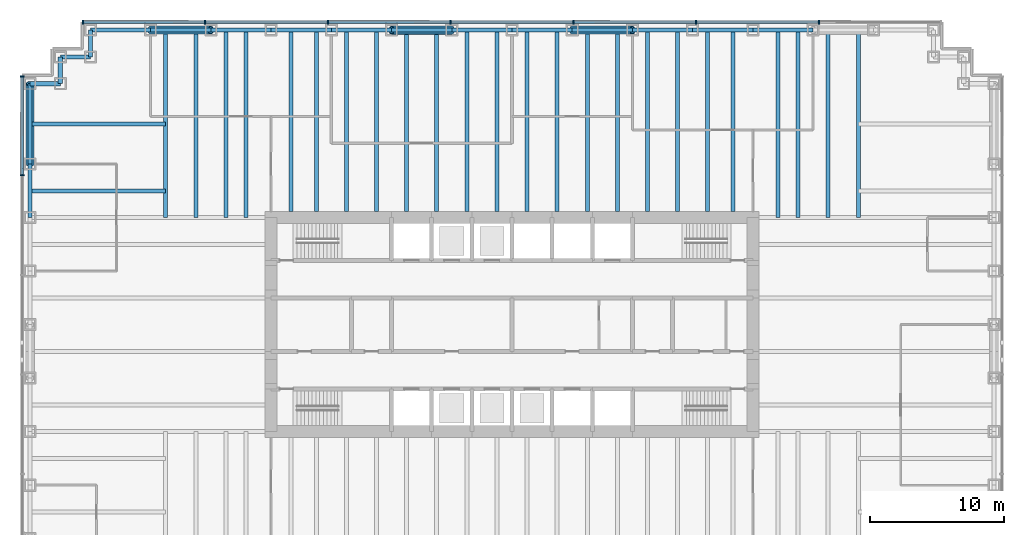
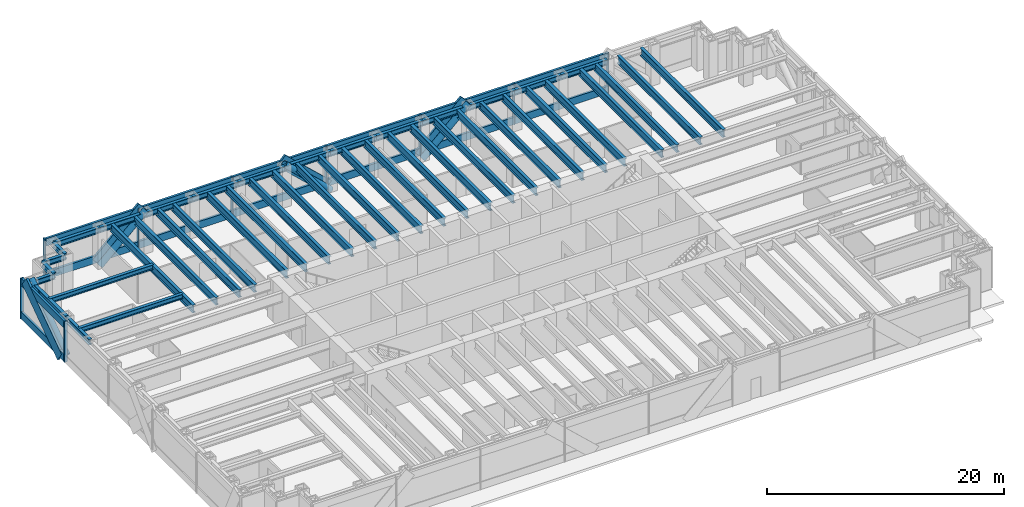
# One storey, part 4 of 14: 44 beams, 31 members, 2 elements without a shape of their own.
"""IFC4 building model written with IfcOpenShell, lengths in metres."""

from ifc_helpers import new_model, si_unit, direction, frame, origin, origin_2d, place, context, subcontext, project, spatial, rectangle, hollow_circle, i_section, extrude, material, material_profile, profile_set, type_object, element, aggregate, save


model = new_model("IFC4")

# Units and contexts
model_context = context("Model", 3, precision=1e-05, world=origin(), true_north=direction((0.0, 1.0)))
body_context = subcontext(model_context, "Body", "Model", "MODEL_VIEW")
ifc_project = project(units=[si_unit("LENGTHUNIT", "METRE"), si_unit("AREAUNIT", "SQUARE_METRE"), si_unit("VOLUMEUNIT", "CUBIC_METRE"), si_unit("PLANEANGLEUNIT", "RADIAN"), si_unit("MASSUNIT", "GRAM", prefix="KILO")], contexts=[model_context])

# Site, building, storey
site_placement = place(None, origin())
site = spatial("IfcSite", under=ifc_project, at=site_placement, CompositionType="ELEMENT")
building_placement = place(site_placement, origin())
building = spatial("IfcBuilding", under=site, at=building_placement, Name="Rheinbord Bourse Tower", CompositionType="ELEMENT")
storey_placement = place(building_placement, frame((0.0, 0.0, 100.5)))
storey = spatial("IfcBuildingStorey", under=building, at=storey_placement, Name="L21", CompositionType="ELEMENT", Elevation=100.5)

# Curtain wall, members
ifc_material_1 = material(Name="Dark glass and black aluminium", Category="aluminium")
curtain_wall_type = type_object("IfcCurtainWallType", Name="CW6 DARK GLASS CURTAIN WALL", PredefinedType="USERDEFINED", material=ifc_material_1)
curtain_wall_1_placement = place(storey_placement, origin())
curtain_wall_1 = element("IfcCurtainWall", 1, at=curtain_wall_1_placement, inside=storey, type_object=curtain_wall_type, Name="Curtain wall CW6 N L21", ObjectType="UNITISED CURTAIN WALL", PredefinedType="USERDEFINED")
ifc_material_2 = material(Name="Black anodised aluminium", Category="aluminium")
ifc_material_profile_1 = material_profile(ifc_material_2, rectangle(XDim=0.219970703125, YDim=1.2099609375, at=origin_2d()), Name="CW6 DIAGONAL MULLION 1210x220")
ifc_profile_set_1 = profile_set([ifc_material_profile_1], Name="Black anodised aluminium")
member_type_1 = type_object("IfcMemberType", Name="CW6 BLACK DIAGONAL MULLION", PredefinedType="USERDEFINED", material=ifc_profile_set_1)
member_1_placement = place(storey_placement, frame((31.5, 46.60009765625, 0.0), z_axis=(-0.73105922506, 0.0, 0.682314010889), x_axis=(0.0, -1.0, 0.0)))
member_1 = element("IfcMember", 2, at=member_1_placement, type_object=member_type_1, Name="CW6 diagonal mullion a", ObjectType="DIAGONAL MULLION", PredefinedType="USERDEFINED", context=body_context, shape_type="SweptSolid", body=[
    extrude(rectangle(XDim=0.219970703125, YDim=1.2099609375, at=origin_2d()), origin(), (0.0, 0.0, 1.0), 6.155517578125),
])
member_2_placement = place(storey_placement, frame((40.5, 46.60009765625, 0.0), z_axis=(0.73105922506, 0.0, 0.682314010889), x_axis=(0.0, 1.0, 0.0)))
member_2 = element("IfcMember", 3, at=member_2_placement, type_object=member_type_1, Name="CW6 diagonal mullion b", ObjectType="DIAGONAL MULLION", PredefinedType="USERDEFINED", context=body_context, shape_type="SweptSolid", body=[
    extrude(rectangle(XDim=0.219970703125, YDim=1.2099609375, at=origin_2d()), origin(), (0.0, 0.0, 1.0), 6.155517578125),
])
member_3_placement = place(storey_placement, frame((9.0, 46.60009765625, 0.0), z_axis=(0.73105922506, 0.0, 0.682314010889), x_axis=(0.0, 1.0, 0.0)))
member_3 = element("IfcMember", 4, at=member_3_placement, type_object=member_type_1, Name="CW6 diagonal mullion c", ObjectType="DIAGONAL MULLION", PredefinedType="USERDEFINED", context=body_context, shape_type="SweptSolid", body=[
    extrude(rectangle(XDim=0.219970703125, YDim=1.2099609375, at=origin_2d()), origin(), (0.0, 0.0, 1.0), 6.155517578125),
])

# Curtain wall, member
curtain_wall_2_placement = place(storey_placement, origin())
curtain_wall_2 = element("IfcCurtainWall", 5, at=curtain_wall_2_placement, inside=storey, type_object=curtain_wall_type, Name="Curtain wall CW6 W L21", ObjectType="UNITISED CURTAIN WALL", PredefinedType="USERDEFINED")
member_4_placement = place(storey_placement, frame((-0.60009765625, 36.0, 0.0), z_axis=(0.0, 0.819235052632, 0.57345786989), x_axis=(-1.0, 0.0, 0.0)))
member_4 = element("IfcMember", 6, at=member_4_placement, type_object=member_type_1, Name="CW6 diagonal mullion c", ObjectType="DIAGONAL MULLION", PredefinedType="USERDEFINED", context=body_context, shape_type="SweptSolid", body=[
    extrude(rectangle(XDim=0.219970703125, YDim=1.2099609375, at=origin_2d()), origin(), (0.0, 0.0, 1.0), 7.323974609375),
])

# Member
ifc_material_3 = material(Name="Black anodised aluminium", Category="aluminium")
ifc_material_profile_2 = material_profile(ifc_material_3, rectangle(XDim=0.320068359375, YDim=0.10009765625, at=origin_2d()), Name="CW6 MULLION 100x320")
ifc_profile_set_2 = profile_set([ifc_material_profile_2], Name="Black anodised aluminium")
member_type_2 = type_object("IfcMemberType", Name="CW6 BLACK MULLION", PredefinedType="MULLION", material=ifc_profile_set_2)
member_5_placement = place(storey_placement, frame((58.928466796875, 46.60009765625, 0.0), z_axis=(0.0, 0.0, 1.0), x_axis=(0.0, -1.0, 0.0)))
member_5 = element("IfcMember", 7, at=member_5_placement, type_object=member_type_2, Name="CW6 mullion 2", PredefinedType="MULLION", context=body_context, shape_type="SweptSolid", body=[
    extrude(rectangle(XDim=0.320068359375, YDim=0.10009765625, at=origin_2d()), origin(), (0.0, 0.0, 1.0), 4.199951171875),
])

member_6_placement = place(storey_placement, frame((49.757080078125, 46.60009765625, 0.0), z_axis=(0.0, 0.0, 1.0), x_axis=(0.0, -1.0, 0.0)))
member_6 = element("IfcMember", 8, at=member_6_placement, type_object=member_type_2, Name="CW6 mullion 3", PredefinedType="MULLION", context=body_context, shape_type="SweptSolid", body=[
    extrude(rectangle(XDim=0.320068359375, YDim=0.10009765625, at=origin_2d()), origin(), (0.0, 0.0, 1.0), 4.199951171875),
])

member_7_placement = place(storey_placement, frame((40.585693359375, 46.60009765625, 0.0), z_axis=(0.0, 0.0, 1.0), x_axis=(0.0, -1.0, 0.0)))
member_7 = element("IfcMember", 9, at=member_7_placement, type_object=member_type_2, Name="CW6 mullion 4", PredefinedType="MULLION", context=body_context, shape_type="SweptSolid", body=[
    extrude(rectangle(XDim=0.320068359375, YDim=0.10009765625, at=origin_2d()), origin(), (0.0, 0.0, 1.0), 4.199951171875),
])

member_8_placement = place(storey_placement, frame((31.414306640625, 46.60009765625, 0.0), z_axis=(0.0, 0.0, 1.0), x_axis=(0.0, -1.0, 0.0)))
member_8 = element("IfcMember", 10, at=member_8_placement, type_object=member_type_2, Name="CW6 mullion 5", PredefinedType="MULLION", context=body_context, shape_type="SweptSolid", body=[
    extrude(rectangle(XDim=0.320068359375, YDim=0.10009765625, at=origin_2d()), origin(), (0.0, 0.0, 1.0), 4.199951171875),
])

member_9_placement = place(storey_placement, frame((22.242919921875, 46.60009765625, 0.0), z_axis=(0.0, 0.0, 1.0), x_axis=(0.0, -1.0, 0.0)))
member_9 = element("IfcMember", 11, at=member_9_placement, type_object=member_type_2, Name="CW6 mullion 6", PredefinedType="MULLION", context=body_context, shape_type="SweptSolid", body=[
    extrude(rectangle(XDim=0.320068359375, YDim=0.10009765625, at=origin_2d()), origin(), (0.0, 0.0, 1.0), 4.199951171875),
])

member_10_placement = place(storey_placement, frame((13.071533203125, 46.60009765625, 0.0), z_axis=(0.0, 0.0, 1.0), x_axis=(0.0, -1.0, 0.0)))
member_10 = element("IfcMember", 12, at=member_10_placement, type_object=member_type_2, Name="CW6 mullion 7", PredefinedType="MULLION", context=body_context, shape_type="SweptSolid", body=[
    extrude(rectangle(XDim=0.320068359375, YDim=0.10009765625, at=origin_2d()), origin(), (0.0, 0.0, 1.0), 4.199951171875),
])

member_11_placement = place(storey_placement, frame((3.949951171875, 46.60009765625, 0.0), z_axis=(0.0, 0.0, 1.0), x_axis=(0.0, -1.0, 0.0)))
member_11 = element("IfcMember", 13, at=member_11_placement, type_object=member_type_2, Name="CW6 mullion 8", PredefinedType="MULLION", context=body_context, shape_type="SweptSolid", body=[
    extrude(rectangle(XDim=0.320068359375, YDim=0.10009765625, at=origin_2d()), origin(), (0.0, 0.0, 1.0), 4.199951171875),
])

member_12_placement = place(storey_placement, frame((-0.60009765625, 42.550048828125, 0.0), z_axis=(0.0, 0.0, 1.0), x_axis=(1.0, 0.0, 0.0)))
member_12 = element("IfcMember", 14, at=member_12_placement, type_object=member_type_2, Name="CW6 mullion 1", PredefinedType="MULLION", context=body_context, shape_type="SweptSolid", body=[
    extrude(rectangle(XDim=0.320068359375, YDim=0.10009765625, at=origin_2d()), origin(), (0.0, 0.0, 1.0), 4.199951171875),
])

member_13_placement = place(storey_placement, frame((-0.60009765625, 35.159912109375, 0.0), z_axis=(0.0, 0.0, 1.0), x_axis=(1.0, 0.0, 0.0)))
member_13 = element("IfcMember", 15, at=member_13_placement, type_object=member_type_2, Name="CW6 mullion 2", PredefinedType="MULLION", context=body_context, shape_type="SweptSolid", body=[
    extrude(rectangle(XDim=0.320068359375, YDim=0.10009765625, at=origin_2d()), origin(), (0.0, 0.0, 1.0), 4.199951171875),
])

ifc_material_4 = material(Name="Black anodised aluminium", Category="aluminium")
ifc_material_profile_3 = material_profile(ifc_material_4, rectangle(XDim=0.219970703125, YDim=0.75, at=origin_2d()), Name="CW6 TRANSOM 750x220")
ifc_profile_set_3 = profile_set([ifc_material_profile_3], Name="Black anodised aluminium")
member_type_3 = type_object("IfcMemberType", Name="CW6 BLACK TRANSOM", PredefinedType="USERDEFINED", material=ifc_profile_set_3)
member_14_placement = place(storey_placement, frame((58.878662109375, 46.60009765625, 0.375), z_axis=(-1.0, 0.0, 0.0), x_axis=(0.0, -1.0, 0.0)))
member_14 = element("IfcMember", 16, at=member_14_placement, type_object=member_type_3, Name="CW6 transom 2.1", ObjectType="TRANSOM", PredefinedType="USERDEFINED", context=body_context, shape_type="SweptSolid", body=[
    extrude(rectangle(XDim=0.219970703125, YDim=0.75, at=origin_2d()), origin(), (0.0, 0.0, 1.0), 9.071533203125),
])

member_15_placement = place(storey_placement, frame((58.878662109375, 46.60009765625, 3.824951171875), z_axis=(-1.0, 0.0, 0.0), x_axis=(0.0, -1.0, 0.0)))
member_15 = element("IfcMember", 17, at=member_15_placement, type_object=member_type_3, Name="CW6 transom 2.2", ObjectType="TRANSOM", PredefinedType="USERDEFINED", context=body_context, shape_type="SweptSolid", body=[
    extrude(rectangle(XDim=0.219970703125, YDim=0.75, at=origin_2d()), origin(), (0.0, 0.0, 1.0), 9.071533203125),
])

member_16_placement = place(storey_placement, frame((49.70703125, 46.60009765625, 0.375), z_axis=(-1.0, 0.0, 0.0), x_axis=(0.0, -1.0, 0.0)))
member_16 = element("IfcMember", 18, at=member_16_placement, type_object=member_type_3, Name="CW6 transom 3.1", ObjectType="TRANSOM", PredefinedType="USERDEFINED", context=body_context, shape_type="SweptSolid", body=[
    extrude(rectangle(XDim=0.219970703125, YDim=0.75, at=origin_2d()), origin(), (0.0, 0.0, 1.0), 9.0712890625),
])

member_17_placement = place(storey_placement, frame((49.70703125, 46.60009765625, 3.824951171875), z_axis=(-1.0, 0.0, 0.0), x_axis=(0.0, -1.0, 0.0)))
member_17 = element("IfcMember", 19, at=member_17_placement, type_object=member_type_3, Name="CW6 transom 3.2", ObjectType="TRANSOM", PredefinedType="USERDEFINED", context=body_context, shape_type="SweptSolid", body=[
    extrude(rectangle(XDim=0.219970703125, YDim=0.75, at=origin_2d()), origin(), (0.0, 0.0, 1.0), 9.0712890625),
])

member_18_placement = place(storey_placement, frame((40.53564453125, 46.60009765625, 0.375), z_axis=(-1.0, 0.0, 0.0), x_axis=(0.0, -1.0, 0.0)))
member_18 = element("IfcMember", 20, at=member_18_placement, type_object=member_type_3, Name="CW6 transom 4.1", ObjectType="TRANSOM", PredefinedType="USERDEFINED", context=body_context, shape_type="SweptSolid", body=[
    extrude(rectangle(XDim=0.219970703125, YDim=0.75, at=origin_2d()), origin(), (0.0, 0.0, 1.0), 9.0712890625),
])

member_19_placement = place(storey_placement, frame((40.53564453125, 46.60009765625, 3.824951171875), z_axis=(-1.0, 0.0, 0.0), x_axis=(0.0, -1.0, 0.0)))
member_19 = element("IfcMember", 21, at=member_19_placement, type_object=member_type_3, Name="CW6 transom 4.2", ObjectType="TRANSOM", PredefinedType="USERDEFINED", context=body_context, shape_type="SweptSolid", body=[
    extrude(rectangle(XDim=0.219970703125, YDim=0.75, at=origin_2d()), origin(), (0.0, 0.0, 1.0), 9.0712890625),
])

member_20_placement = place(storey_placement, frame((31.3642578125, 46.60009765625, 0.375), z_axis=(-1.0, 0.0, 0.0), x_axis=(0.0, -1.0, 0.0)))
member_20 = element("IfcMember", 22, at=member_20_placement, type_object=member_type_3, Name="CW6 transom 5.1", ObjectType="TRANSOM", PredefinedType="USERDEFINED", context=body_context, shape_type="SweptSolid", body=[
    extrude(rectangle(XDim=0.219970703125, YDim=0.75, at=origin_2d()), origin(), (0.0, 0.0, 1.0), 9.0712890625),
])

member_21_placement = place(storey_placement, frame((31.3642578125, 46.60009765625, 3.824951171875), z_axis=(-1.0, 0.0, 0.0), x_axis=(0.0, -1.0, 0.0)))
member_21 = element("IfcMember", 23, at=member_21_placement, type_object=member_type_3, Name="CW6 transom 5.2", ObjectType="TRANSOM", PredefinedType="USERDEFINED", context=body_context, shape_type="SweptSolid", body=[
    extrude(rectangle(XDim=0.219970703125, YDim=0.75, at=origin_2d()), origin(), (0.0, 0.0, 1.0), 9.0712890625),
])

member_22_placement = place(storey_placement, frame((22.19287109375, 46.60009765625, 0.375), z_axis=(-1.0, 0.0, 0.0), x_axis=(0.0, -1.0, 0.0)))
member_22 = element("IfcMember", 24, at=member_22_placement, type_object=member_type_3, Name="CW6 transom 6.1", ObjectType="TRANSOM", PredefinedType="USERDEFINED", context=body_context, shape_type="SweptSolid", body=[
    extrude(rectangle(XDim=0.219970703125, YDim=0.75, at=origin_2d()), origin(), (0.0, 0.0, 1.0), 9.071533203125),
])

member_23_placement = place(storey_placement, frame((22.19287109375, 46.60009765625, 3.824951171875), z_axis=(-1.0, 0.0, 0.0), x_axis=(0.0, -1.0, 0.0)))
member_23 = element("IfcMember", 25, at=member_23_placement, type_object=member_type_3, Name="CW6 transom 6.2", ObjectType="TRANSOM", PredefinedType="USERDEFINED", context=body_context, shape_type="SweptSolid", body=[
    extrude(rectangle(XDim=0.219970703125, YDim=0.75, at=origin_2d()), origin(), (0.0, 0.0, 1.0), 9.071533203125),
])

member_24_placement = place(storey_placement, frame((13.021484375, 46.60009765625, 0.375), z_axis=(-1.0, 0.0, 0.0), x_axis=(0.0, -1.0, 0.0)))
member_24 = element("IfcMember", 26, at=member_24_placement, type_object=member_type_3, Name="CW6 transom 7.1", ObjectType="TRANSOM", PredefinedType="USERDEFINED", context=body_context, shape_type="SweptSolid", body=[
    extrude(rectangle(XDim=0.219970703125, YDim=0.75, at=origin_2d()), origin(), (0.0, 0.0, 1.0), 9.021484375),
])

member_25_placement = place(storey_placement, frame((13.021484375, 46.60009765625, 3.824951171875), z_axis=(-1.0, 0.0, 0.0), x_axis=(0.0, -1.0, 0.0)))
member_25 = element("IfcMember", 27, at=member_25_placement, type_object=member_type_3, Name="CW6 transom 7.2", ObjectType="TRANSOM", PredefinedType="USERDEFINED", context=body_context, shape_type="SweptSolid", body=[
    extrude(rectangle(XDim=0.219970703125, YDim=0.75, at=origin_2d()), origin(), (0.0, 0.0, 1.0), 9.021484375),
])

aggregate(curtain_wall_1, [member_5, member_6, member_7, member_8, member_9, member_10, member_11, member_14, member_15, member_16, member_17, member_18, member_19, member_20, member_21, member_22, member_23, member_24, member_25, member_1, member_2, member_3])

member_26_placement = place(storey_placement, frame((-0.60009765625, 42.5, 0.375), z_axis=(0.0, -1.0, 0.0), x_axis=(1.0, 0.0, 0.0)))
member_26 = element("IfcMember", 28, at=member_26_placement, type_object=member_type_3, Name="CW6 transom 1.1", ObjectType="TRANSOM", PredefinedType="USERDEFINED", context=body_context, shape_type="SweptSolid", body=[
    extrude(rectangle(XDim=0.219970703125, YDim=0.75, at=origin_2d()), origin(), (0.0, 0.0, 1.0), 7.2900390625),
])

member_27_placement = place(storey_placement, frame((-0.60009765625, 42.5, 3.824951171875), z_axis=(0.0, -1.0, 0.0), x_axis=(1.0, 0.0, 0.0)))
member_27 = element("IfcMember", 29, at=member_27_placement, type_object=member_type_3, Name="CW6 transom 1.2", ObjectType="TRANSOM", PredefinedType="USERDEFINED", context=body_context, shape_type="SweptSolid", body=[
    extrude(rectangle(XDim=0.219970703125, YDim=0.75, at=origin_2d()), origin(), (0.0, 0.0, 1.0), 7.2900390625),
])

aggregate(curtain_wall_2, [member_12, member_13, member_26, member_27, member_4])

# Beams
ifc_material_5 = material(Name="Steel S460", Category="steel")
ifc_material_profile_4 = material_profile(ifc_material_5, i_section(OverallWidth=0.300048828125, OverallDepth=0.800048828125, WebThickness=0.017578125, FlangeThickness=0.032958984375, at=origin_2d()), Name="HEB 800")
ifc_profile_set_4 = profile_set([ifc_material_profile_4], Name="Steel S460")
beam_type_1 = type_object("IfcBeamType", Name="FLOOR BEAM HEB 800", PredefinedType="BEAM", material=ifc_profile_set_4)
for number, where, z_axis, x_axis, name in (
    (30, (10.125, 46.0, 3.639892578125), (0.0, -1.0, 0.0), (1.0, 0.0, 0.0), "Floor beam N-9a L22"),
    (31, (12.375, 46.0, 3.639892578125), (0.0, -1.0, 0.0), (1.0, 0.0, 0.0), "Floor beam N-9b L22"),
    (32, (14.625, 46.0, 3.639892578125), (0.0, -1.0, 0.0), (1.0, 0.0, 0.0), "Floor beam N-13.5a L22"),
    (33, (16.125, 46.0, 3.639892578125), (0.0, -1.0, 0.0), (1.0, 0.0, 0.0), "Floor beam N-13.5b L22"),
):
    element("IfcBeam", number, at=place(storey_placement, frame(where, z_axis=z_axis, x_axis=x_axis)), inside=storey, type_object=beam_type_1, Name=name, PredefinedType="BEAM", context=body_context, shape_type="SweptSolid", body=[
        extrude(i_section(OverallWidth=0.300048828125, OverallDepth=0.800048828125, WebThickness=0.017578125, FlangeThickness=0.032958984375, at=origin_2d()), origin(), (0.0, 0.0, 1.0), 14.0),
    ])
for number, where, z_axis, x_axis, name in (
    (34, (19.5, 46.0, 3.639892578125), (0.0, -1.0, 0.0), (1.0, 0.0, 0.0), "Floor beam N-18a L22"),
    (35, (21.375, 46.0, 3.639892578125), (0.0, -1.0, 0.0), (1.0, 0.0, 0.0), "Floor beam N-18b L22"),
    (36, (23.625, 46.0, 3.639892578125), (0.0, -1.0, 0.0), (1.0, 0.0, 0.0), "Floor beam N-22.5a L22"),
    (37, (25.875, 46.0, 3.639892578125), (0.0, -1.0, 0.0), (1.0, 0.0, 0.0), "Floor beam N-22.5b L22"),
    (38, (28.125, 46.0, 3.639892578125), (0.0, -1.0, 0.0), (1.0, 0.0, 0.0), "Floor beam N-27a L22"),
    (39, (30.375, 46.0, 3.639892578125), (0.0, -1.0, 0.0), (1.0, 0.0, 0.0), "Floor beam N-27b L22"),
    (40, (32.625, 46.0, 3.639892578125), (0.0, -1.0, 0.0), (1.0, 0.0, 0.0), "Floor beam N-31.5a L22"),
    (41, (34.875, 46.0, 3.639892578125), (0.0, -1.0, 0.0), (1.0, 0.0, 0.0), "Floor beam N-31.5b L22"),
    (42, (37.125, 46.0, 3.639892578125), (0.0, -1.0, 0.0), (1.0, 0.0, 0.0), "Floor beam N-36a L22"),
    (43, (39.375, 46.0, 3.639892578125), (0.0, -1.0, 0.0), (1.0, 0.0, 0.0), "Floor beam N-36b L22"),
    (44, (41.625, 46.0, 3.639892578125), (0.0, -1.0, 0.0), (1.0, 0.0, 0.0), "Floor beam N-40.5a L22"),
    (45, (43.875, 46.0, 3.639892578125), (0.0, -1.0, 0.0), (1.0, 0.0, 0.0), "Floor beam N-40.5b L22"),
    (46, (46.125, 46.0, 3.639892578125), (0.0, -1.0, 0.0), (1.0, 0.0, 0.0), "Floor beam N-45a L22"),
    (47, (48.375, 46.0, 3.639892578125), (0.0, -1.0, 0.0), (1.0, 0.0, 0.0), "Floor beam N-45b L22"),
    (48, (50.625, 46.0, 3.639892578125), (0.0, -1.0, 0.0), (1.0, 0.0, 0.0), "Floor beam N-49.5a L22"),
    (49, (52.5, 46.0, 3.639892578125), (0.0, -1.0, 0.0), (1.0, 0.0, 0.0), "Floor beam N-49.5b L22"),
):
    element("IfcBeam", number, at=place(storey_placement, frame(where, z_axis=z_axis, x_axis=x_axis)), inside=storey, type_object=beam_type_1, Name=name, PredefinedType="BEAM", context=body_context, shape_type="SweptSolid", body=[
        extrude(i_section(OverallWidth=0.300048828125, OverallDepth=0.800048828125, WebThickness=0.017578125, FlangeThickness=0.032958984375, at=origin_2d()), origin(), (0.0, 0.0, 1.0), 13.550048828125),
    ])
for number, where, z_axis, x_axis, name in (
    (50, (55.875, 46.0, 3.639892578125), (0.0, -1.0, 0.0), (1.0, 0.0, 0.0), "Floor beam N-54a L22"),
    (51, (57.375, 46.0, 3.639892578125), (0.0, -1.0, 0.0), (1.0, 0.0, 0.0), "Floor beam N-54b L22"),
    (52, (59.625, 46.0, 3.639892578125), (0.0, -1.0, 0.0), (1.0, 0.0, 0.0), "Floor beam N-58.5a L22"),
    (53, (61.875, 46.0, 3.639892578125), (0.0, -1.0, 0.0), (1.0, 0.0, 0.0), "Floor beam N-58.5b L22"),
):
    element("IfcBeam", number, at=place(storey_placement, frame(where, z_axis=z_axis, x_axis=x_axis)), inside=storey, type_object=beam_type_1, Name=name, PredefinedType="BEAM", context=body_context, shape_type="SweptSolid", body=[
        extrude(i_section(OverallWidth=0.300048828125, OverallDepth=0.800048828125, WebThickness=0.017578125, FlangeThickness=0.032958984375, at=origin_2d()), origin(), (0.0, 0.0, 1.0), 14.0),
    ])

# Members
ifc_material_6 = material(Name="Steel S460", Category="steel")
ifc_material_profile_5 = material_profile(ifc_material_6, hollow_circle(Radius=0.304931640625, WallThickness=0.0400390625, at=origin_2d()), Name="CHS 610x40")
ifc_profile_set_5 = profile_set([ifc_material_profile_5], Name="Steel S460")
member_type_4 = type_object("IfcMemberType", Name="MEGABRACE CHS 610x40", PredefinedType="BRACE", material=ifc_profile_set_5)
for number, where, z_axis, x_axis, name in (
    (54, (31.5, 46.0, 0.0), (-0.73105922506, 0.0, 0.682314010889), (0.0, -1.0, 0.0), "Megabrace N face line a L21"),
    (55, (40.5, 46.0, 0.0), (0.73105922506, 0.0, 0.682314010889), (0.0, 1.0, 0.0), "Megabrace N face line b L21"),
    (56, (9.0, 46.0, 0.0), (0.73105922506, 0.0, 0.682314010889), (0.0, 1.0, 0.0), "Megabrace N face line c L21"),
):
    element("IfcMember", number, at=place(storey_placement, frame(where, z_axis=z_axis, x_axis=x_axis)), inside=storey, type_object=member_type_4, Name=name, PredefinedType="BRACE", context=body_context, shape_type="SweptSolid", body=[
        extrude(hollow_circle(Radius=0.304931640625, WallThickness=0.0400390625, at=origin_2d()), origin(), (0.0, 0.0, 1.0), 6.155517578125),
    ])
member_28_placement = place(storey_placement, frame((0.0, 36.0, 0.0), z_axis=(0.0, 0.819235052632, 0.57345786989), x_axis=(-1.0, 0.0, 0.0)))
element("IfcMember", 57, at=member_28_placement, inside=storey, type_object=member_type_4, Name="Megabrace W face line c L21", PredefinedType="BRACE", context=body_context, shape_type="SweptSolid", body=[
    extrude(hollow_circle(Radius=0.304931640625, WallThickness=0.0400390625, at=origin_2d()), origin(), (0.0, 0.0, 1.0), 7.323974609375),
])

# Beams
ifc_material_7 = material(Name="Steel S460", Category="steel")
ifc_material_profile_6 = material_profile(ifc_material_7, i_section(OverallWidth=0.305908203125, OverallDepth=0.572021484375, WebThickness=0.02099609375, FlangeThickness=0.0400390625, at=origin_2d()), Name="HEM 550")
ifc_profile_set_6 = profile_set([ifc_material_profile_6], Name="Steel S460")
beam_type_2 = type_object("IfcBeamType", Name="SPANDREL HEM 550", PredefinedType="SPANDREL", material=ifc_profile_set_6)
for number, where, z_axis, x_axis, name in (
    (58, (58.5, 46.0, 3.75390625), (-1.0, 0.0, 0.0), (0.0, -1.0, 0.0), "Spandrel N-58.5-N-54 under L22"),
    (59, (54.0, 46.0, 3.75390625), (-1.0, 0.0, 0.0), (0.0, -1.0, 0.0), "Spandrel N-54-N-49.5 under L22"),
    (60, (49.5, 46.0, 3.75390625), (-1.0, 0.0, 0.0), (0.0, -1.0, 0.0), "Spandrel N-49.5-N-45 under L22"),
    (61, (45.0, 46.0, 3.75390625), (-1.0, 0.0, 0.0), (0.0, -1.0, 0.0), "Spandrel N-45-N-40.5 under L22"),
    (62, (40.5, 46.0, 3.75390625), (-1.0, 0.0, 0.0), (0.0, -1.0, 0.0), "Spandrel N-40.5-N-36 under L22"),
    (63, (36.0, 46.0, 3.75390625), (-1.0, 0.0, 0.0), (0.0, -1.0, 0.0), "Spandrel N-36-N-31.5 under L22"),
    (64, (31.5, 46.0, 3.75390625), (-1.0, 0.0, 0.0), (0.0, -1.0, 0.0), "Spandrel N-31.5-N-27 under L22"),
    (65, (27.0, 46.0, 3.75390625), (-1.0, 0.0, 0.0), (0.0, -1.0, 0.0), "Spandrel N-27-N-22.5 under L22"),
    (66, (22.5, 46.0, 3.75390625), (-1.0, 0.0, 0.0), (0.0, -1.0, 0.0), "Spandrel N-22.5-N-18 under L22"),
    (67, (18.0, 46.0, 3.75390625), (-1.0, 0.0, 0.0), (0.0, -1.0, 0.0), "Spandrel N-18-N-13.5 under L22"),
    (68, (13.5, 46.0, 3.75390625), (-1.0, 0.0, 0.0), (0.0, -1.0, 0.0), "Spandrel N-13.5-N-9 under L22"),
    (69, (9.0, 46.0, 3.75390625), (-1.0, 0.0, 0.0), (0.0, -1.0, 0.0), "Spandrel N-9-NW-E under L22"),
):
    element("IfcBeam", number, at=place(storey_placement, frame(where, z_axis=z_axis, x_axis=x_axis)), inside=storey, type_object=beam_type_2, Name=name, PredefinedType="SPANDREL", context=body_context, shape_type="SweptSolid", body=[
        extrude(i_section(OverallWidth=0.305908203125, OverallDepth=0.572021484375, WebThickness=0.02099609375, FlangeThickness=0.0400390625, at=origin_2d()), origin(), (0.0, 0.0, 1.0), 4.5),
    ])
beam_1_placement = place(storey_placement, frame((4.5, 46.0, 3.75390625), z_axis=(0.0, -1.0, 0.0), x_axis=(1.0, 0.0, 0.0)))
element("IfcBeam", 70, at=beam_1_placement, inside=storey, type_object=beam_type_2, Name="Spandrel NW-E-NW-D under L22", PredefinedType="SPANDREL", context=body_context, shape_type="SweptSolid", body=[
    extrude(i_section(OverallWidth=0.305908203125, OverallDepth=0.572021484375, WebThickness=0.02099609375, FlangeThickness=0.0400390625, at=origin_2d()), origin(), (0.0, 0.0, 1.0), 2.0),
])
beam_2_placement = place(storey_placement, frame((4.5, 44.0, 3.75390625), z_axis=(-1.0, 0.0, 0.0), x_axis=(0.0, -1.0, 0.0)))
element("IfcBeam", 71, at=beam_2_placement, inside=storey, type_object=beam_type_2, Name="Spandrel NW-D-NW-C under L22", PredefinedType="SPANDREL", context=body_context, shape_type="SweptSolid", body=[
    extrude(i_section(OverallWidth=0.305908203125, OverallDepth=0.572021484375, WebThickness=0.02099609375, FlangeThickness=0.0400390625, at=origin_2d()), origin(), (0.0, 0.0, 1.0), 2.25),
])
beam_3_placement = place(storey_placement, frame((2.25, 44.0, 3.75390625), z_axis=(0.0, -1.0, 0.0), x_axis=(1.0, 0.0, 0.0)))
element("IfcBeam", 72, at=beam_3_placement, inside=storey, type_object=beam_type_2, Name="Spandrel NW-C-NW-B under L22", PredefinedType="SPANDREL", context=body_context, shape_type="SweptSolid", body=[
    extrude(i_section(OverallWidth=0.305908203125, OverallDepth=0.572021484375, WebThickness=0.02099609375, FlangeThickness=0.0400390625, at=origin_2d()), origin(), (0.0, 0.0, 1.0), 2.0),
])
beam_4_placement = place(storey_placement, frame((2.25, 42.0, 3.75390625), z_axis=(-1.0, 0.0, 0.0), x_axis=(0.0, -1.0, 0.0)))
element("IfcBeam", 73, at=beam_4_placement, inside=storey, type_object=beam_type_2, Name="Spandrel NW-B-NW-A under L22", PredefinedType="SPANDREL", context=body_context, shape_type="SweptSolid", body=[
    extrude(i_section(OverallWidth=0.305908203125, OverallDepth=0.572021484375, WebThickness=0.02099609375, FlangeThickness=0.0400390625, at=origin_2d()), origin(), (0.0, 0.0, 1.0), 2.25),
])
beam_5_placement = place(storey_placement, frame((0.0, 42.0, 3.75390625), z_axis=(0.0, -1.0, 0.0), x_axis=(1.0, 0.0, 0.0)))
element("IfcBeam", 74, at=beam_5_placement, inside=storey, type_object=beam_type_2, Name="Spandrel NW-A-W-36 under L22", PredefinedType="SPANDREL", context=body_context, shape_type="SweptSolid", body=[
    extrude(i_section(OverallWidth=0.305908203125, OverallDepth=0.572021484375, WebThickness=0.02099609375, FlangeThickness=0.0400390625, at=origin_2d()), origin(), (0.0, 0.0, 1.0), 6.0),
])
beam_6_placement = place(storey_placement, frame((0.0, 36.0, 3.75390625), z_axis=(0.0, -1.0, 0.0), x_axis=(1.0, 0.0, 0.0)))
element("IfcBeam", 75, at=beam_6_placement, inside=storey, type_object=beam_type_2, Name="Spandrel W-36-W-32 under L22", PredefinedType="SPANDREL", context=body_context, shape_type="SweptSolid", body=[
    extrude(i_section(OverallWidth=0.305908203125, OverallDepth=0.572021484375, WebThickness=0.02099609375, FlangeThickness=0.0400390625, at=origin_2d()), origin(), (0.0, 0.0, 1.0), 4.0),
])
ifc_material_8 = material(Name="Steel S460", Category="steel")
ifc_material_profile_7 = material_profile(ifc_material_8, i_section(OverallWidth=0.300048828125, OverallDepth=0.5, WebThickness=0.014404296875, FlangeThickness=0.028076171875, at=origin_2d()), Name="HEB 500")
ifc_profile_set_7 = profile_set([ifc_material_profile_7], Name="Steel S460")
beam_type_3 = type_object("IfcBeamType", Name="TIE BEAM HEB 500", PredefinedType="JOIST", material=ifc_profile_set_7)
for number, where, z_axis, x_axis, name in (
    (76, (0.0, 34.0, 3.7900390625), (1.0, 0.0, 0.0), (0.0, 1.0, 0.0), "Tie west 34 L22"),
    (77, (0.0, 39.0, 3.7900390625), (1.0, 0.0, 0.0), (0.0, 1.0, 0.0), "Tie west 39 L22"),
):
    element("IfcBeam", number, at=place(storey_placement, frame(where, z_axis=z_axis, x_axis=x_axis)), inside=storey, type_object=beam_type_3, Name=name, PredefinedType="JOIST", context=body_context, shape_type="SweptSolid", body=[
        extrude(i_section(OverallWidth=0.300048828125, OverallDepth=0.5, WebThickness=0.014404296875, FlangeThickness=0.028076171875, at=origin_2d()), origin(), (0.0, 0.0, 1.0), 10.125),
    ])

save(model, "model.ifc")
